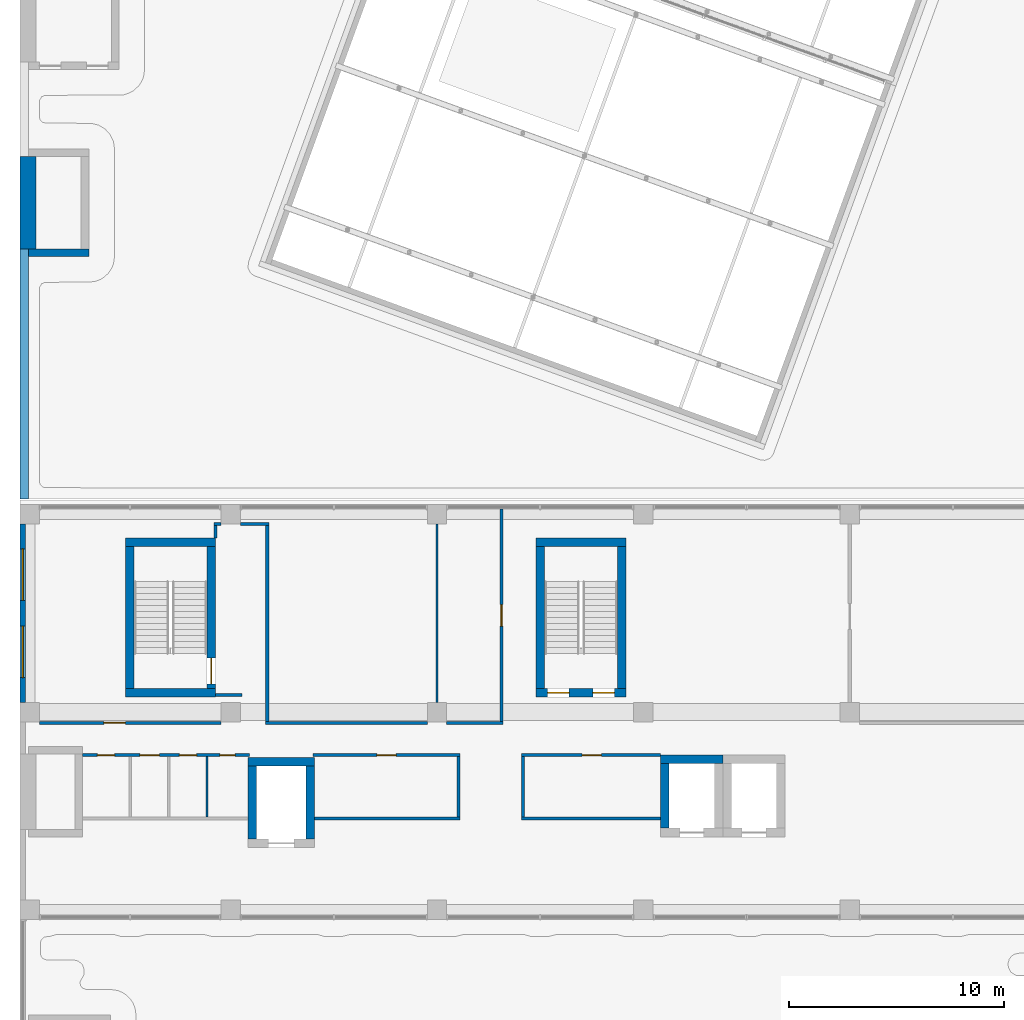
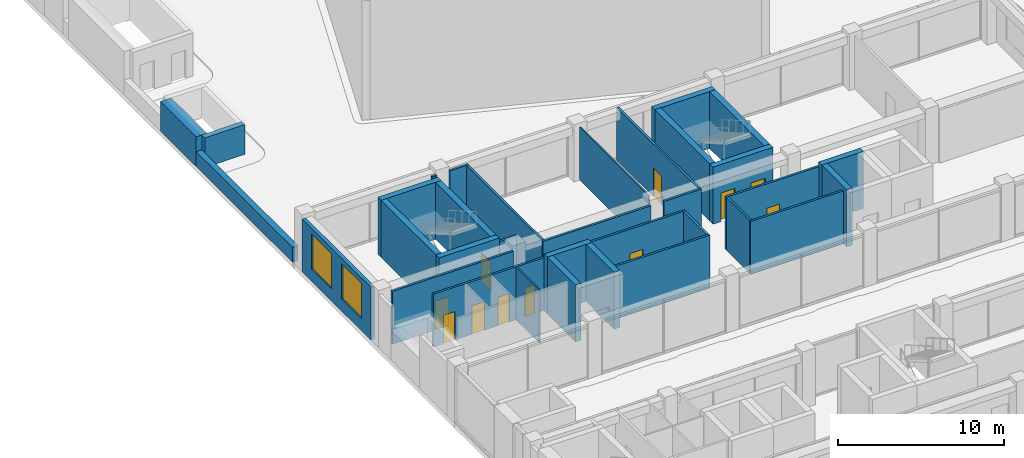
# One storey, part 61 of 72: 35 walls, 11 doors, 2 windows, 13 openings.
"""IFC4 building model written with IfcOpenShell, lengths in metres."""

from ifc_helpers import new_model, si_unit, direction, frame, frame_2d, origin, place, context, subcontext, project, spatial, rectangle, extrude, material, layer, layer_set, layer_usage, type_object, element, fill, save


model = new_model("IFC4")

# Units and contexts
model_context = context("Model", 3, precision=1e-05, world=origin(), true_north=direction((0.0, 1.0)))
body_context = subcontext(model_context, "Body", "Model", "MODEL_VIEW")
ifc_project = project(units=[si_unit("LENGTHUNIT", "METRE"), si_unit("AREAUNIT", "SQUARE_METRE"), si_unit("VOLUMEUNIT", "CUBIC_METRE"), si_unit("PLANEANGLEUNIT", "RADIAN"), si_unit("MASSUNIT", "GRAM", prefix="KILO")], contexts=[model_context])

# Site, building, storey
site_placement = place(None, origin())
site = spatial("IfcSite", under=ifc_project, at=site_placement, CompositionType="ELEMENT")
building_placement = place(site_placement, origin())
building = spatial("IfcBuilding", under=site, at=building_placement, Name="Nzadi Deep Aquarium and Research Tower", CompositionType="ELEMENT")
storey_placement = place(building_placement, frame((0.0, 0.0, 31.89990234375)))
storey = spatial("IfcBuildingStorey", under=building, at=storey_placement, Name="L05", CompositionType="ELEMENT", Elevation=31.89990234375)

# Wall, openings, windows
ifc_material_1 = material(Name="Graphite aluminium shingle", Category="aluminium")
ifc_layer_1 = layer(ifc_material_1, 0.050048828125, Category="cladding")
ifc_material_2 = material(Name="Concrete C35/45", Category="concrete")
ifc_layer_2 = layer(ifc_material_2, 0.10009765625, Category="cladding")
ifc_material_3 = material(Name="Mineral wool insulation")
ifc_layer_3 = layer(ifc_material_3, 0.070068359375, Category="insulation")
ifc_material_4 = material(Name="Gypsum board lining")
ifc_layer_4 = layer(ifc_material_4, 0.030029296875, Category="lining")
ifc_layer_set_1 = layer_set([ifc_layer_1, ifc_layer_2, ifc_layer_3, ifc_layer_4], Name="Graphite aluminium shingle, Concrete C35/45, Mineral wool insulation, Gypsum board lining")
ifc_layer_usage_1 = layer_usage(ifc_layer_set_1, "AXIS2", "POSITIVE", -0.125)
wall_type_1 = type_object("IfcWallType", Name="End wall shingle over board-formed concrete 250", PredefinedType="ELEMENTEDWALL", material=ifc_layer_set_1)
wall_1_placement = place(storey_placement, frame((-0.074462890625, 45.550048828125, 0.0), z_axis=(0.0, 0.0, 1.0), x_axis=(0.0, -1.0, 0.0)))
wall_1 = element("IfcWall", 1, at=wall_1_placement, inside=storey, type_object=wall_type_1, material=ifc_layer_usage_1, Name="End wall blade B west L05", PredefinedType="ELEMENTEDWALL", context=body_context, shape_type="SweptSolid", body=[
    extrude(rectangle(XDim=8.300048828125, YDim=0.25, at=frame_2d((4.14990234375, 0.0))), origin(), (0.0, 0.0, 1.0), 3.900146484375),
])
opening_1_placement = place(wall_1_placement, frame((4.75, 0.0, 0.89990234375)))
opening_1 = element("IfcOpeningElement", 2, at=opening_1_placement, cuts=wall_1, Name="Opening WN07", PredefinedType="OPENING", context=body_context, shape_type="SweptSolid", body=[
    extrude(rectangle(XDim=2.39990234375, YDim=2.60009765625, at=frame_2d((1.199951171875, 1.300048828125))), frame((0.0, 0.135009765625, 0.0), z_axis=(0.0, -1.0, 0.0), x_axis=(1.0, 0.0, 0.0)), (0.0, 0.0, 1.0), 0.27001953125),
])
opening_2_placement = place(wall_1_placement, frame((1.14990234375, 0.0, 0.89990234375)))
opening_2 = element("IfcOpeningElement", 3, at=opening_2_placement, cuts=wall_1, Name="Opening WN07", PredefinedType="OPENING", context=body_context, shape_type="SweptSolid", body=[
    extrude(rectangle(XDim=2.39990234375, YDim=2.60009765625, at=frame_2d((1.199951171875, 1.300048828125))), frame((0.0, 0.135009765625, 0.0), z_axis=(0.0, -1.0, 0.0), x_axis=(1.0, 0.0, 0.0)), (0.0, 0.0, 1.0), 0.27001953125),
])
ifc_material_5 = material(Name="Aluminium window, sage tint glazing", Category="aluminium")
window_type = type_object("IfcWindowType", Name="Slot window 2400x2600 sill 900", PartitioningType="SINGLE_PANEL", PredefinedType="WINDOW", material=ifc_material_5)
window_1_placement = place(opening_1_placement, origin())
window_1 = element("IfcWindow", 4, at=window_1_placement, inside=storey, type_object=window_type, Name="Slot window L05 BW", OverallHeight=2.60009765625, OverallWidth=2.39990234375, PartitioningType="SINGLE_PANEL", PredefinedType="WINDOW", context=body_context, shape_type="SweptSolid", body=[
    extrude(rectangle(XDim=2.39990234375, YDim=2.60009765625, at=frame_2d((1.199951171875, 1.300048828125))), frame((0.0, 0.030029296875, 0.0), z_axis=(0.0, -1.0, 0.0), x_axis=(1.0, 0.0, 0.0)), (0.0, 0.0, 1.0), 0.06005859375),
])
fill(opening_1, window_1)
window_2_placement = place(opening_2_placement, origin())
window_2 = element("IfcWindow", 5, at=window_2_placement, inside=storey, type_object=window_type, Name="Slot window L05 BW", OverallHeight=2.60009765625, OverallWidth=2.39990234375, PartitioningType="SINGLE_PANEL", PredefinedType="WINDOW", context=body_context, shape_type="SweptSolid", body=[
    extrude(rectangle(XDim=2.39990234375, YDim=2.60009765625, at=frame_2d((1.199951171875, 1.300048828125))), frame((0.0, 0.030029296875, 0.0), z_axis=(0.0, -1.0, 0.0), x_axis=(1.0, 0.0, 0.0)), (0.0, 0.0, 1.0), 0.06005859375),
])
fill(opening_2, window_2)

# Walls
ifc_layer_5 = layer(ifc_material_2, 0.39990234375, Category="structure")
ifc_layer_set_2 = layer_set([ifc_layer_5], Name="Concrete C35/45")
ifc_layer_usage_2 = layer_usage(ifc_layer_set_2, "AXIS2", "POSITIVE", -0.199951171875)
wall_type_2 = type_object("IfcWallType", Name="Parapet board-formed concrete 400 podium roof", PredefinedType="PARAPET", material=ifc_layer_set_2)
wall_2_placement = place(storey_placement, frame((0.00048828125, 58.35009765625, 0.0), z_axis=(0.0, 0.0, 1.0), x_axis=(0.0, -1.0, 0.0)))
element("IfcWall", 6, at=wall_2_placement, inside=storey, type_object=wall_type_2, material=ifc_layer_usage_2, Name="Parapet", PredefinedType="PARAPET", context=body_context, shape_type="SweptSolid", body=[
    extrude(rectangle(XDim=11.630126953125, YDim=0.39990234375, at=frame_2d((5.81494140625, 0.0))), origin(), (0.0, 0.0, 1.0), 1.10009765625),
])
ifc_material_6 = material(Name="Blockwork masonry", Category="masonry")
ifc_layer_6 = layer(ifc_material_6, 0.10009765625)
ifc_layer_set_3 = layer_set([ifc_layer_6], Name="Blockwork masonry")
wall_type_3 = type_object("IfcWallType", Name="Partition 100 EI 30", PredefinedType="PARTITIONING", material=ifc_layer_set_3)
wall_3_placement = place(storey_placement, frame((8.5029296875, 31.925048828125, 0.0), z_axis=(0.0, 0.0, 1.0), x_axis=(0.0, 1.0, 0.0)))
element("IfcWall", 7, at=wall_3_placement, inside=storey, type_object=wall_type_3, Name="W-Z1-L05-P013", PredefinedType="PARTITIONING", context=body_context, shape_type="SweptSolid", body=[
    extrude(rectangle(XDim=2.800048828125, YDim=0.10009765625, at=frame_2d((1.39990234375, 0.0))), origin(), (0.0, 0.0, 1.0), 3.900146484375),
])
wall_4_placement = place(storey_placement, frame((19.199951171875, 37.25, 0.0), z_axis=(0.0, 0.0, 1.0), x_axis=(0.0, 1.0, 0.0)))
element("IfcWall", 8, at=wall_4_placement, inside=storey, type_object=wall_type_3, Name="W-Z1-L05-P025", PredefinedType="PARTITIONING", context=body_context, shape_type="SweptSolid", body=[
    extrude(rectangle(XDim=8.300048828125, YDim=0.10009765625, at=frame_2d((4.14990234375, 0.0))), origin(), (0.0, 0.0, 1.0), 3.900146484375),
])

# Wall, opening, door
ifc_material_7 = material(Name="Blockwork masonry", Category="masonry")
ifc_layer_7 = layer(ifc_material_7, 0.14990234375)
ifc_layer_set_4 = layer_set([ifc_layer_7], Name="Blockwork masonry")
wall_type_4 = type_object("IfcWallType", Name="Partition 150 EI 60", PredefinedType="PARTITIONING", material=ifc_layer_set_4)
wall_5_placement = place(storey_placement, frame((0.699951171875, 36.300048828125, 0.0), z_axis=(0.0, 0.0, 1.0), x_axis=(1.0, 0.0, 0.0)))
wall_5 = element("IfcWall", 9, at=wall_5_placement, inside=storey, type_object=wall_type_4, Name="W-Z1-L05-P001", PredefinedType="PARTITIONING", context=body_context, shape_type="SweptSolid", body=[
    extrude(rectangle(XDim=8.449951171875, YDim=0.14990234375, at=frame_2d((4.22509765625, 0.0))), origin(), (0.0, 0.0, 1.0), 3.900146484375),
])
opening_3_placement = place(wall_5_placement, frame((3.0, 0.0, 0.0)))
opening_3 = element("IfcOpeningElement", 10, at=opening_3_placement, cuts=wall_5, Name="Opening D061017", PredefinedType="OPENING", context=body_context, shape_type="SweptSolid", body=[
    extrude(rectangle(XDim=1.0, YDim=2.10009765625, at=frame_2d((0.5, 1.050048828125))), frame((0.0, 0.0849609375, 0.0), z_axis=(0.0, -1.0, 0.0), x_axis=(1.0, 0.0, 0.0)), (0.0, 0.0, 1.0), 0.169921875),
])
ifc_material_8 = material(Name="Fire-rated steel door", Category="steel")
ifc_layer_8 = layer(ifc_material_8, 0.050048828125)
ifc_layer_set_5 = layer_set([ifc_layer_8], Name="Fire-rated steel door")
door_type_1 = type_object("IfcDoorType", Name="Door 1000x2100 EI 60 single", OperationType="SINGLE_SWING_LEFT", PredefinedType="DOOR", material=ifc_layer_set_5)
door_1_placement = place(opening_3_placement, origin())
door_1 = element("IfcDoor", 11, at=door_1_placement, inside=storey, type_object=door_type_1, Name="D061017", OperationType="SINGLE_SWING_RIGHT", OverallHeight=2.10009765625, OverallWidth=1.0, PredefinedType="DOOR", context=body_context, shape_type="SweptSolid", body=[
    extrude(rectangle(XDim=1.0, YDim=2.10009765625, at=frame_2d((0.5, 1.050048828125))), frame((0.0, 0.02490234375, 0.0), z_axis=(0.0, -1.0, 0.0), x_axis=(1.0, 0.0, 0.0)), (0.0, 0.0, 1.0), 0.050048828125),
])
fill(opening_3, door_1)

# Wall, openings, doors
wall_6_placement = place(storey_placement, frame((2.7060546875, 34.800048828125, 0.0), z_axis=(0.0, 0.0, 1.0), x_axis=(1.0, 0.0, 0.0)))
wall_6 = element("IfcWall", 12, at=wall_6_placement, inside=storey, type_object=wall_type_4, Name="W-Z1-L05-P003", PredefinedType="PARTITIONING", context=body_context, shape_type="SweptSolid", body=[
    extrude(rectangle(XDim=7.76904296875, YDim=0.14990234375, at=frame_2d((3.884521484375, 0.0))), origin(), (0.0, 0.0, 1.0), 3.900146484375),
])
opening_4_placement = place(wall_6_placement, frame((0.694091796875, 0.0, 0.0)))
opening_4 = element("IfcOpeningElement", 13, at=opening_4_placement, cuts=wall_6, Name="Opening D061011", PredefinedType="OPENING", context=body_context, shape_type="SweptSolid", body=[
    extrude(rectangle(XDim=0.800048828125, YDim=2.10009765625, at=frame_2d((0.39990234375, 1.050048828125))), frame((0.0, 0.0849609375, 0.0), z_axis=(0.0, -1.0, 0.0), x_axis=(1.0, 0.0, 0.0)), (0.0, 0.0, 1.0), 0.169921875),
])
opening_5_placement = place(wall_6_placement, frame((2.676025390625, 0.0, 0.0)))
opening_5 = element("IfcOpeningElement", 14, at=opening_5_placement, cuts=wall_6, Name="Opening D061012", PredefinedType="OPENING", context=body_context, shape_type="SweptSolid", body=[
    extrude(rectangle(XDim=0.89990234375, YDim=2.10009765625, at=frame_2d((0.449951171875, 1.050048828125))), frame((0.0, 0.0849609375, 0.0), z_axis=(0.0, -1.0, 0.0), x_axis=(1.0, 0.0, 0.0)), (0.0, 0.0, 1.0), 0.169921875),
])
opening_6_placement = place(wall_6_placement, frame((4.510986328125, 0.0, 0.0)))
opening_6 = element("IfcOpeningElement", 15, at=opening_6_placement, cuts=wall_6, Name="Opening D061013", PredefinedType="OPENING", context=body_context, shape_type="SweptSolid", body=[
    extrude(rectangle(XDim=0.800048828125, YDim=2.10009765625, at=frame_2d((0.39990234375, 1.050048828125))), frame((0.0, 0.0849609375, 0.0), z_axis=(0.0, -1.0, 0.0), x_axis=(1.0, 0.0, 0.0)), (0.0, 0.0, 1.0), 0.169921875),
])
opening_7_placement = place(wall_6_placement, frame((6.39697265625, 0.0, 0.0)))
opening_7 = element("IfcOpeningElement", 16, at=opening_7_placement, cuts=wall_6, Name="Opening D061014", PredefinedType="OPENING", context=body_context, shape_type="SweptSolid", body=[
    extrude(rectangle(XDim=0.699951171875, YDim=2.10009765625, at=frame_2d((0.35009765625, 1.050048828125))), frame((0.0, 0.0849609375, 0.0), z_axis=(0.0, -1.0, 0.0), x_axis=(1.0, 0.0, 0.0)), (0.0, 0.0, 1.0), 0.169921875),
])
ifc_material_9 = material(Name="Fire-rated steel door", Category="steel")
ifc_layer_9 = layer(ifc_material_9, 0.050048828125)
ifc_layer_set_6 = layer_set([ifc_layer_9], Name="Fire-rated steel door")
door_type_2 = type_object("IfcDoorType", Name="Door 700x2100 EI 60 single", OperationType="SINGLE_SWING_LEFT", PredefinedType="DOOR", material=ifc_layer_set_6)
door_2_placement = place(opening_7_placement, origin())
door_2 = element("IfcDoor", 17, at=door_2_placement, inside=storey, type_object=door_type_2, Name="D061014", OperationType="SINGLE_SWING_LEFT", OverallHeight=2.10009765625, OverallWidth=0.699951171875, PredefinedType="DOOR", context=body_context, shape_type="SweptSolid", body=[
    extrude(rectangle(XDim=0.699951171875, YDim=2.10009765625, at=frame_2d((0.35009765625, 1.050048828125))), frame((0.0, 0.02490234375, 0.0), z_axis=(0.0, -1.0, 0.0), x_axis=(1.0, 0.0, 0.0)), (0.0, 0.0, 1.0), 0.050048828125),
])
fill(opening_7, door_2)
ifc_material_10 = material(Name="Fire-rated steel door", Category="steel")
ifc_layer_10 = layer(ifc_material_10, 0.050048828125)
ifc_layer_set_7 = layer_set([ifc_layer_10], Name="Fire-rated steel door")
door_type_3 = type_object("IfcDoorType", Name="Door 800x2100 EI 60 single", OperationType="SINGLE_SWING_LEFT", PredefinedType="DOOR", material=ifc_layer_set_7)
door_3_placement = place(opening_4_placement, origin())
door_3 = element("IfcDoor", 18, at=door_3_placement, inside=storey, type_object=door_type_3, Name="D061011", OperationType="SINGLE_SWING_RIGHT", OverallHeight=2.10009765625, OverallWidth=0.800048828125, PredefinedType="DOOR", context=body_context, shape_type="SweptSolid", body=[
    extrude(rectangle(XDim=0.800048828125, YDim=2.10009765625, at=frame_2d((0.39990234375, 1.050048828125))), frame((0.0, 0.02490234375, 0.0), z_axis=(0.0, -1.0, 0.0), x_axis=(1.0, 0.0, 0.0)), (0.0, 0.0, 1.0), 0.050048828125),
])
fill(opening_4, door_3)
door_4_placement = place(opening_6_placement, origin())
door_4 = element("IfcDoor", 19, at=door_4_placement, inside=storey, type_object=door_type_3, Name="D061013", OperationType="SINGLE_SWING_RIGHT", OverallHeight=2.10009765625, OverallWidth=0.800048828125, PredefinedType="DOOR", context=body_context, shape_type="SweptSolid", body=[
    extrude(rectangle(XDim=0.800048828125, YDim=2.10009765625, at=frame_2d((0.39990234375, 1.050048828125))), frame((0.0, 0.02490234375, 0.0), z_axis=(0.0, -1.0, 0.0), x_axis=(1.0, 0.0, 0.0)), (0.0, 0.0, 1.0), 0.050048828125),
])
fill(opening_6, door_4)
ifc_material_11 = material(Name="Fire-rated steel door", Category="steel")
ifc_layer_11 = layer(ifc_material_11, 0.050048828125)
ifc_layer_set_8 = layer_set([ifc_layer_11], Name="Fire-rated steel door")
door_type_4 = type_object("IfcDoorType", Name="Door 900x2100 EI 60 single", OperationType="SINGLE_SWING_LEFT", PredefinedType="DOOR", material=ifc_layer_set_8)
door_5_placement = place(opening_5_placement, origin())
door_5 = element("IfcDoor", 20, at=door_5_placement, inside=storey, type_object=door_type_4, Name="D061012", OperationType="SINGLE_SWING_RIGHT", OverallHeight=2.10009765625, OverallWidth=0.89990234375, PredefinedType="DOOR", context=body_context, shape_type="SweptSolid", body=[
    extrude(rectangle(XDim=0.89990234375, YDim=2.10009765625, at=frame_2d((0.449951171875, 1.050048828125))), frame((0.0, 0.02490234375, 0.0), z_axis=(0.0, -1.0, 0.0), x_axis=(1.0, 0.0, 0.0)), (0.0, 0.0, 1.0), 0.050048828125),
])
fill(opening_5, door_5)

# Walls
wall_7_placement = place(storey_placement, frame((8.89990234375, 44.906005859375, 0.0), z_axis=(0.0, 0.0, 1.0), x_axis=(0.0, 1.0, 0.0)))
element("IfcWall", 21, at=wall_7_placement, inside=storey, type_object=wall_type_4, Name="W-Z1-L05-P014", PredefinedType="PARTITIONING", context=body_context, shape_type="SweptSolid", body=[
    extrude(rectangle(XDim=0.569091796875, YDim=0.14990234375, at=frame_2d((0.28466796875, 0.0))), origin(), (0.0, 0.0, 1.0), 3.900146484375),
])
wall_8_placement = place(storey_placement, frame((8.824951171875, 45.550048828125, 0.0), z_axis=(0.0, 0.0, 1.0), x_axis=(1.0, 0.0, 0.0)))
element("IfcWall", 22, at=wall_8_placement, inside=storey, type_object=wall_type_4, Name="W-Z1-L05-P015", PredefinedType="PARTITIONING", context=body_context, shape_type="SweptSolid", body=[
    extrude(rectangle(XDim=0.324951171875, YDim=0.14990234375, at=frame_2d((0.16259765625, 0.0))), origin(), (0.0, 0.0, 1.0), 3.900146484375),
])
wall_9_placement = place(storey_placement, frame((8.906005859375, 37.60009765625, 0.0), z_axis=(0.0, 0.0, 1.0), x_axis=(1.0, 0.0, 0.0)))
element("IfcWall", 23, at=wall_9_placement, inside=storey, type_object=wall_type_4, Name="W-Z1-L05-P016", PredefinedType="PARTITIONING", context=body_context, shape_type="SweptSolid", body=[
    extrude(rectangle(XDim=1.218994140625, YDim=0.14990234375, at=frame_2d((0.609375, 0.0))), origin(), (0.0, 0.0, 1.0), 3.900146484375),
])
wall_10_placement = place(storey_placement, frame((10.050048828125, 45.550048828125, 0.0), z_axis=(0.0, 0.0, 1.0), x_axis=(1.0, 0.0, 0.0)))
element("IfcWall", 24, at=wall_10_placement, inside=storey, type_object=wall_type_4, Name="W-Z1-L05-P018", PredefinedType="PARTITIONING", context=body_context, shape_type="SweptSolid", body=[
    extrude(rectangle(XDim=1.324951171875, YDim=0.14990234375, at=frame_2d((0.66259765625, 0.0))), origin(), (0.0, 0.0, 1.0), 3.900146484375),
])
wall_11_placement = place(storey_placement, frame((11.22509765625, 36.300048828125, 0.0), z_axis=(0.0, 0.0, 1.0), x_axis=(1.0, 0.0, 0.0)))
element("IfcWall", 25, at=wall_11_placement, inside=storey, type_object=wall_type_4, Name="W-Z1-L05-P020", PredefinedType="PARTITIONING", context=body_context, shape_type="SweptSolid", body=[
    extrude(rectangle(XDim=7.52490234375, YDim=0.14990234375, at=frame_2d((3.762451171875, 0.0))), origin(), (0.0, 0.0, 1.0), 3.900146484375),
])
wall_12_placement = place(storey_placement, frame((11.300048828125, 36.375, 0.0), z_axis=(0.0, 0.0, 1.0), x_axis=(0.0, 1.0, 0.0)))
element("IfcWall", 26, at=wall_12_placement, inside=storey, type_object=wall_type_4, Name="W-Z1-L05-P021", PredefinedType="PARTITIONING", context=body_context, shape_type="SweptSolid", body=[
    extrude(rectangle(XDim=9.10009765625, YDim=0.14990234375, at=frame_2d((4.550048828125, 0.0))), origin(), (0.0, 0.0, 1.0), 3.900146484375),
])

# Wall, opening, door
wall_13_placement = place(storey_placement, frame((13.425048828125, 34.800048828125, 0.0), z_axis=(0.0, 0.0, 1.0), x_axis=(1.0, 0.0, 0.0)))
wall_13 = element("IfcWall", 27, at=wall_13_placement, inside=storey, type_object=wall_type_4, Name="W-Z1-L05-P022", PredefinedType="PARTITIONING", context=body_context, shape_type="SweptSolid", body=[
    extrude(rectangle(XDim=6.849853515625, YDim=0.14990234375, at=frame_2d((3.4248046875, 0.0))), origin(), (0.0, 0.0, 1.0), 3.900146484375),
])
opening_8_placement = place(wall_13_placement, frame((2.97509765625, 0.0, 0.0)))
opening_8 = element("IfcOpeningElement", 28, at=opening_8_placement, cuts=wall_13, Name="Opening D061015", PredefinedType="OPENING", context=body_context, shape_type="SweptSolid", body=[
    extrude(rectangle(XDim=0.89990234375, YDim=2.10009765625, at=frame_2d((0.449951171875, 1.050048828125))), frame((0.0, 0.0849609375, 0.0), z_axis=(0.0, -1.0, 0.0), x_axis=(1.0, 0.0, 0.0)), (0.0, 0.0, 1.0), 0.169921875),
])
door_6_placement = place(opening_8_placement, origin())
door_6 = element("IfcDoor", 29, at=door_6_placement, inside=storey, type_object=door_type_4, Name="D061015", OperationType="SINGLE_SWING_RIGHT", OverallHeight=2.10009765625, OverallWidth=0.89990234375, PredefinedType="DOOR", context=body_context, shape_type="SweptSolid", body=[
    extrude(rectangle(XDim=0.89990234375, YDim=2.10009765625, at=frame_2d((0.449951171875, 1.050048828125))), frame((0.0, 0.02490234375, 0.0), z_axis=(0.0, -1.0, 0.0), x_axis=(1.0, 0.0, 0.0)), (0.0, 0.0, 1.0), 0.050048828125),
])
fill(opening_8, door_6)

# Walls
wall_14_placement = place(storey_placement, frame((13.506103515625, 31.85009765625, 0.0), z_axis=(0.0, 0.0, 1.0), x_axis=(1.0, 0.0, 0.0)))
element("IfcWall", 30, at=wall_14_placement, inside=storey, type_object=wall_type_4, Name="W-Z1-L05-P023", PredefinedType="PARTITIONING", context=body_context, shape_type="SweptSolid", body=[
    extrude(rectangle(XDim=6.768798828125, YDim=0.14990234375, at=frame_2d((3.38427734375, 0.0))), origin(), (0.0, 0.0, 1.0), 3.900146484375),
])
wall_15_placement = place(storey_placement, frame((19.64990234375, 36.300048828125, 0.0), z_axis=(0.0, 0.0, 1.0), x_axis=(1.0, 0.0, 0.0)))
element("IfcWall", 31, at=wall_15_placement, inside=storey, type_object=wall_type_4, Name="W-Z1-L05-P026", PredefinedType="PARTITIONING", context=body_context, shape_type="SweptSolid", body=[
    extrude(rectangle(XDim=2.625, YDim=0.14990234375, at=frame_2d((1.3125, 0.0))), origin(), (0.0, 0.0, 1.0), 3.900146484375),
])
wall_16_placement = place(storey_placement, frame((20.199951171875, 31.925048828125, 0.0), z_axis=(0.0, 0.0, 1.0), x_axis=(0.0, 1.0, 0.0)))
element("IfcWall", 32, at=wall_16_placement, inside=storey, type_object=wall_type_4, Name="W-Z1-L05-P027", PredefinedType="PARTITIONING", context=body_context, shape_type="SweptSolid", body=[
    extrude(rectangle(XDim=2.800048828125, YDim=0.14990234375, at=frame_2d((1.39990234375, 0.0))), origin(), (0.0, 0.0, 1.0), 3.900146484375),
])

# Wall, opening, door
wall_17_placement = place(storey_placement, frame((22.199951171875, 36.375, 0.0), z_axis=(0.0, 0.0, 1.0), x_axis=(0.0, 1.0, 0.0)))
wall_17 = element("IfcWall", 33, at=wall_17_placement, inside=storey, type_object=wall_type_4, Name="W-Z1-L05-P028", PredefinedType="PARTITIONING", context=body_context, shape_type="SweptSolid", body=[
    extrude(rectangle(XDim=9.868896484375, YDim=0.14990234375, at=frame_2d((4.9345703125, 0.0))), origin(), (0.0, 0.0, 1.0), 3.900146484375),
])
opening_9_placement = place(wall_17_placement, frame((4.425048828125, 0.0, 0.0)))
opening_9 = element("IfcOpeningElement", 34, at=opening_9_placement, cuts=wall_17, Name="Opening D061018", PredefinedType="OPENING", context=body_context, shape_type="SweptSolid", body=[
    extrude(rectangle(XDim=1.0, YDim=2.10009765625, at=frame_2d((0.5, 1.050048828125))), frame((0.0, 0.0849609375, 0.0), z_axis=(0.0, -1.0, 0.0), x_axis=(1.0, 0.0, 0.0)), (0.0, 0.0, 1.0), 0.169921875),
])
door_7_placement = place(opening_9_placement, origin())
door_7 = element("IfcDoor", 35, at=door_7_placement, inside=storey, type_object=door_type_1, Name="D061018", OperationType="SINGLE_SWING_RIGHT", OverallHeight=2.10009765625, OverallWidth=1.0, PredefinedType="DOOR", context=body_context, shape_type="SweptSolid", body=[
    extrude(rectangle(XDim=1.0, YDim=2.10009765625, at=frame_2d((0.5, 1.050048828125))), frame((0.0, 0.02490234375, 0.0), z_axis=(0.0, -1.0, 0.0), x_axis=(1.0, 0.0, 0.0)), (0.0, 0.0, 1.0), 0.050048828125),
])
fill(opening_9, door_7)

# Walls
wall_18_placement = place(storey_placement, frame((23.125, 31.85009765625, 0.0), z_axis=(0.0, 0.0, 1.0), x_axis=(1.0, 0.0, 0.0)))
element("IfcWall", 36, at=wall_18_placement, inside=storey, type_object=wall_type_4, Name="W-Z1-L05-P029", PredefinedType="PARTITIONING", context=body_context, shape_type="SweptSolid", body=[
    extrude(rectangle(XDim=6.468994140625, YDim=0.14990234375, at=frame_2d((3.234375, 0.0))), origin(), (0.0, 0.0, 1.0), 3.900146484375),
])
wall_19_placement = place(storey_placement, frame((23.199951171875, 31.925048828125, 0.0), z_axis=(0.0, 0.0, 1.0), x_axis=(0.0, 1.0, 0.0)))
element("IfcWall", 37, at=wall_19_placement, inside=storey, type_object=wall_type_4, Name="W-Z1-L05-P030", PredefinedType="PARTITIONING", context=body_context, shape_type="SweptSolid", body=[
    extrude(rectangle(XDim=2.800048828125, YDim=0.14990234375, at=frame_2d((1.39990234375, 0.0))), origin(), (0.0, 0.0, 1.0), 3.900146484375),
])

# Wall, opening, door
wall_20_placement = place(storey_placement, frame((23.125, 34.800048828125, 0.0), z_axis=(0.0, 0.0, 1.0), x_axis=(1.0, 0.0, 0.0)))
wall_20 = element("IfcWall", 38, at=wall_20_placement, inside=storey, type_object=wall_type_4, Name="W-Z1-L05-P031", PredefinedType="PARTITIONING", context=body_context, shape_type="SweptSolid", body=[
    extrude(rectangle(XDim=6.468994140625, YDim=0.14990234375, at=frame_2d((3.234375, 0.0))), origin(), (0.0, 0.0, 1.0), 3.900146484375),
])
opening_10_placement = place(wall_20_placement, frame((2.824951171875, 0.0, 0.0)))
opening_10 = element("IfcOpeningElement", 39, at=opening_10_placement, cuts=wall_20, Name="Opening D061016", PredefinedType="OPENING", context=body_context, shape_type="SweptSolid", body=[
    extrude(rectangle(XDim=0.89990234375, YDim=2.10009765625, at=frame_2d((0.449951171875, 1.050048828125))), frame((0.0, 0.0849609375, 0.0), z_axis=(0.0, -1.0, 0.0), x_axis=(1.0, 0.0, 0.0)), (0.0, 0.0, 1.0), 0.169921875),
])
door_8_placement = place(opening_10_placement, origin())
door_8 = element("IfcDoor", 40, at=door_8_placement, inside=storey, type_object=door_type_4, Name="D061016", OperationType="SINGLE_SWING_LEFT", OverallHeight=2.10009765625, OverallWidth=0.89990234375, PredefinedType="DOOR", context=body_context, shape_type="SweptSolid", body=[
    extrude(rectangle(XDim=0.89990234375, YDim=2.10009765625, at=frame_2d((0.449951171875, 1.050048828125))), frame((0.0, 0.02490234375, 0.0), z_axis=(0.0, -1.0, 0.0), x_axis=(1.0, 0.0, 0.0)), (0.0, 0.0, 1.0), 0.050048828125),
])
fill(opening_10, door_8)

# Walls
ifc_material_12 = material(Name="Concrete C35/45", Category="concrete")
ifc_layer_12 = layer(ifc_material_12, 0.35009765625)
ifc_layer_set_9 = layer_set([ifc_layer_12], Name="Concrete C35/45")
wall_type_5 = type_object("IfcWallType", Name="RC core wall 350, 2.20 m high", PredefinedType="SHEAR", material=ifc_layer_set_9)
wall_21_placement = place(storey_placement, frame((0.199951171875, 58.175048828125, 0.0), z_axis=(0.0, 0.0, 1.0), x_axis=(1.0, 0.0, 0.0)))
element("IfcWall", 41, at=wall_21_placement, inside=storey, type_object=wall_type_5, Name="W-CORE-RS-Z2-W-L05-S", PredefinedType="SHEAR", context=body_context, shape_type="SweptSolid", body=[
    extrude(rectangle(XDim=2.800048828125, YDim=0.35009765625, at=frame_2d((1.39990234375, 0.0))), origin(), (0.0, 0.0, 1.0), 2.2001953125),
])
ifc_material_13 = material(Name="Concrete C35/45", Category="concrete")
ifc_layer_13 = layer(ifc_material_13, 0.39990234375)
ifc_layer_set_10 = layer_set([ifc_layer_13], Name="Concrete C35/45")
wall_type_6 = type_object("IfcWallType", Name="RC core wall 400", PredefinedType="SHEAR", material=ifc_layer_set_10)
for number, where, z_axis, x_axis, name in (
    (42, (4.699951171875, 37.699951171875, 0.0), (0.0, 0.0, 1.0), (1.0, 0.0, 0.0), "W-CORE-ST-Z1-NW-L05-S"),
    (43, (4.699951171875, 44.699951171875, 0.0), (0.0, 0.0, 1.0), (1.0, 0.0, 0.0), "W-CORE-ST-Z1-NW-L05-N"),
):
    element("IfcWall", number, at=place(storey_placement, frame(where, z_axis=z_axis, x_axis=x_axis)), inside=storey, type_object=wall_type_6, Name=name, PredefinedType="SHEAR", context=body_context, shape_type="SweptSolid", body=[
        extrude(rectangle(XDim=4.199951171875, YDim=0.39990234375, at=frame_2d((2.10009765625, 0.0))), origin(), (0.0, 0.0, 1.0), 4.2001953125),
    ])
wall_22_placement = place(storey_placement, frame((4.89990234375, 37.89990234375, 0.0), z_axis=(0.0, 0.0, 1.0), x_axis=(0.0, 1.0, 0.0)))
element("IfcWall", 44, at=wall_22_placement, inside=storey, type_object=wall_type_6, Name="W-CORE-ST-Z1-NW-L05-W", PredefinedType="SHEAR", context=body_context, shape_type="SweptSolid", body=[
    extrude(rectangle(XDim=6.60009765625, YDim=0.39990234375, at=frame_2d((3.300048828125, 0.0))), origin(), (0.0, 0.0, 1.0), 4.2001953125),
])

# Wall, opening, door
wall_23_placement = place(storey_placement, frame((8.699951171875, 37.89990234375, 0.0), z_axis=(0.0, 0.0, 1.0), x_axis=(0.0, 1.0, 0.0)))
wall_23 = element("IfcWall", 45, at=wall_23_placement, inside=storey, type_object=wall_type_6, Name="W-CORE-ST-Z1-NW-L05-E", PredefinedType="SHEAR", context=body_context, shape_type="SweptSolid", body=[
    extrude(rectangle(XDim=6.60009765625, YDim=0.39990234375, at=frame_2d((3.300048828125, 0.0))), origin(), (0.0, 0.0, 1.0), 4.2001953125),
])
opening_11_placement = place(wall_23_placement, frame((0.2099609375, 0.0, 0.0)))
opening_11 = element("IfcOpeningElement", 46, at=opening_11_placement, cuts=wall_23, Name="Opening DS-Z1-NW-L05", PredefinedType="OPENING", context=body_context, shape_type="SweptSolid", body=[
    extrude(rectangle(XDim=1.199951171875, YDim=2.10009765625, at=frame_2d((0.60009765625, 1.050048828125))), frame((0.0, 0.2099609375, 0.0), z_axis=(0.0, -1.0, 0.0), x_axis=(1.0, 0.0, 0.0)), (0.0, 0.0, 1.0), 0.419921875),
])
ifc_material_14 = material(Name="Steel, powder coated", Category="steel")
door_type_5 = type_object("IfcDoorType", Name="STAIR DOOR 1200x2100 EI 60", OperationType="SINGLE_SWING_LEFT", PredefinedType="DOOR", material=ifc_material_14)
door_9_placement = place(opening_11_placement, origin())
door_9 = element("IfcDoor", 47, at=door_9_placement, inside=storey, type_object=door_type_5, Name="Stair door ST-Z1-NW L05", OperationType="SINGLE_SWING_RIGHT", OverallHeight=2.10009765625, OverallWidth=1.199951171875, PredefinedType="DOOR", context=body_context, shape_type="SweptSolid", body=[
    extrude(rectangle(XDim=1.199951171875, YDim=2.10009765625, at=frame_2d((0.60009765625, 1.050048828125))), frame((0.0, 0.02490234375, 0.0), z_axis=(0.0, -1.0, 0.0), x_axis=(1.0, 0.0, 0.0)), (0.0, 0.0, 1.0), 0.050048828125),
])
fill(opening_11, door_9)

# Wall, openings, doors
wall_24_placement = place(storey_placement, frame((23.800048828125, 37.699951171875, 0.0), z_axis=(0.0, 0.0, 1.0), x_axis=(1.0, 0.0, 0.0)))
wall_24 = element("IfcWall", 48, at=wall_24_placement, inside=storey, type_object=wall_type_6, Name="W-CORE-ST-Z1-NE-L05-S", PredefinedType="SHEAR", context=body_context, shape_type="SweptSolid", body=[
    extrude(rectangle(XDim=4.199951171875, YDim=0.39990234375, at=frame_2d((2.10009765625, 0.0))), origin(), (0.0, 0.0, 1.0), 4.2001953125),
])
opening_12_placement = place(wall_24_placement, frame((0.550048828125, 0.0, 0.0)))
opening_12 = element("IfcOpeningElement", 49, at=opening_12_placement, cuts=wall_24, Name="Opening DS-Z1-NE-L05A", PredefinedType="OPENING", context=body_context, shape_type="SweptSolid", body=[
    extrude(rectangle(XDim=1.0, YDim=2.10009765625, at=frame_2d((0.5, 1.050048828125))), frame((0.0, 0.2099609375, 0.0), z_axis=(0.0, -1.0, 0.0), x_axis=(1.0, 0.0, 0.0)), (0.0, 0.0, 1.0), 0.419921875),
])
opening_13_placement = place(wall_24_placement, frame((2.64990234375, 0.0, 0.0)))
opening_13 = element("IfcOpeningElement", 50, at=opening_13_placement, cuts=wall_24, Name="Opening DS-Z1-NE-L05B", PredefinedType="OPENING", context=body_context, shape_type="SweptSolid", body=[
    extrude(rectangle(XDim=1.0, YDim=2.10009765625, at=frame_2d((0.5, 1.050048828125))), frame((0.0, 0.2099609375, 0.0), z_axis=(0.0, -1.0, 0.0), x_axis=(1.0, 0.0, 0.0)), (0.0, 0.0, 1.0), 0.419921875),
])
ifc_material_15 = material(Name="Steel, powder coated", Category="steel")
door_type_6 = type_object("IfcDoorType", Name="STAIR DOOR 1000x2100 EI 60", OperationType="SINGLE_SWING_LEFT", PredefinedType="DOOR", material=ifc_material_15)
door_10_placement = place(opening_12_placement, origin())
door_10 = element("IfcDoor", 51, at=door_10_placement, inside=storey, type_object=door_type_6, Name="Stair door ST-Z1-NE L05 A", OperationType="SINGLE_SWING_RIGHT", OverallHeight=2.10009765625, OverallWidth=1.0, PredefinedType="DOOR", context=body_context, shape_type="SweptSolid", body=[
    extrude(rectangle(XDim=1.0, YDim=2.10009765625, at=frame_2d((0.5, 1.050048828125))), frame((0.0, 0.02490234375, 0.0), z_axis=(0.0, -1.0, 0.0), x_axis=(1.0, 0.0, 0.0)), (0.0, 0.0, 1.0), 0.050048828125),
])
fill(opening_12, door_10)
door_11_placement = place(opening_13_placement, origin())
door_11 = element("IfcDoor", 52, at=door_11_placement, inside=storey, type_object=door_type_6, Name="Stair door ST-Z1-NE L05 B", OperationType="SINGLE_SWING_LEFT", OverallHeight=2.10009765625, OverallWidth=1.0, PredefinedType="DOOR", context=body_context, shape_type="SweptSolid", body=[
    extrude(rectangle(XDim=1.0, YDim=2.10009765625, at=frame_2d((0.5, 1.050048828125))), frame((0.0, 0.02490234375, 0.0), z_axis=(0.0, -1.0, 0.0), x_axis=(1.0, 0.0, 0.0)), (0.0, 0.0, 1.0), 0.050048828125),
])
fill(opening_13, door_11)

# Walls
wall_25_placement = place(storey_placement, frame((23.800048828125, 44.699951171875, 0.0), z_axis=(0.0, 0.0, 1.0), x_axis=(1.0, 0.0, 0.0)))
element("IfcWall", 53, at=wall_25_placement, inside=storey, type_object=wall_type_6, Name="W-CORE-ST-Z1-NE-L05-N", PredefinedType="SHEAR", context=body_context, shape_type="SweptSolid", body=[
    extrude(rectangle(XDim=4.199951171875, YDim=0.39990234375, at=frame_2d((2.10009765625, 0.0))), origin(), (0.0, 0.0, 1.0), 4.2001953125),
])
for number, where, z_axis, x_axis, name in (
    (54, (24.0, 37.89990234375, 0.0), (0.0, 0.0, 1.0), (0.0, 1.0, 0.0), "W-CORE-ST-Z1-NE-L05-W"),
    (55, (27.800048828125, 37.89990234375, 0.0), (0.0, 0.0, 1.0), (0.0, 1.0, 0.0), "W-CORE-ST-Z1-NE-L05-E"),
):
    element("IfcWall", number, at=place(storey_placement, frame(where, z_axis=z_axis, x_axis=x_axis)), inside=storey, type_object=wall_type_6, Name=name, PredefinedType="SHEAR", context=body_context, shape_type="SweptSolid", body=[
        extrude(rectangle(XDim=6.60009765625, YDim=0.39990234375, at=frame_2d((3.300048828125, 0.0))), origin(), (0.0, 0.0, 1.0), 4.2001953125),
    ])
wall_26_placement = place(storey_placement, frame((10.39990234375, 34.5, 0.0), z_axis=(0.0, 0.0, 1.0), x_axis=(1.0, 0.0, 0.0)))
element("IfcWall", 56, at=wall_26_placement, inside=storey, type_object=wall_type_6, Name="W-CORE-FL2-L05-N", PredefinedType="SHEAR", context=body_context, shape_type="SweptSolid", body=[
    extrude(rectangle(XDim=3.10009765625, YDim=0.39990234375, at=frame_2d((1.550048828125, 0.0))), origin(), (0.0, 0.0, 1.0), 4.2001953125),
])
for number, where, z_axis, x_axis, name in (
    (57, (10.60009765625, 30.89990234375, 0.0), (0.0, 0.0, 1.0), (0.0, 1.0, 0.0), "W-CORE-FL2-L05-W"),
    (58, (13.300048828125, 30.89990234375, 0.0), (0.0, 0.0, 1.0), (0.0, 1.0, 0.0), "W-CORE-FL2-L05-E"),
):
    element("IfcWall", number, at=place(storey_placement, frame(where, z_axis=z_axis, x_axis=x_axis)), inside=storey, type_object=wall_type_6, Name=name, PredefinedType="SHEAR", context=body_context, shape_type="SweptSolid", body=[
        extrude(rectangle(XDim=3.400146484375, YDim=0.39990234375, at=frame_2d((1.7001953125, 0.0))), origin(), (0.0, 0.0, 1.0), 4.2001953125),
    ])
wall_27_placement = place(storey_placement, frame((29.60009765625, 34.60009765625, 0.0), z_axis=(0.0, 0.0, 1.0), x_axis=(1.0, 0.0, 0.0)))
element("IfcWall", 59, at=wall_27_placement, inside=storey, type_object=wall_type_6, Name="W-CORE-TL3-L05-N", PredefinedType="SHEAR", context=body_context, shape_type="SweptSolid", body=[
    extrude(rectangle(XDim=2.89990234375, YDim=0.39990234375, at=frame_2d((1.449951171875, 0.0))), origin(), (0.0, 0.0, 1.0), 4.2001953125),
])
wall_28_placement = place(storey_placement, frame((29.800048828125, 31.39990234375, 0.0), z_axis=(0.0, 0.0, 1.0), x_axis=(0.0, 1.0, 0.0)))
element("IfcWall", 60, at=wall_28_placement, inside=storey, type_object=wall_type_6, Name="W-CORE-TL3-L05-W", PredefinedType="SHEAR", context=body_context, shape_type="SweptSolid", body=[
    extrude(rectangle(XDim=3.0, YDim=0.39990234375, at=frame_2d((1.5, 0.0))), origin(), (0.0, 0.0, 1.0), 4.2001953125),
])
ifc_material_16 = material(Name="Concrete C35/45", Category="concrete")
ifc_layer_14 = layer(ifc_material_16, 0.75)
ifc_layer_set_11 = layer_set([ifc_layer_14], Name="Concrete C35/45")
wall_type_7 = type_object("IfcWallType", Name="RC core wall 750, 2.20 m high", PredefinedType="SHEAR", material=ifc_layer_set_11)
wall_29_placement = place(storey_placement, frame((0.175537109375, 58.35009765625, 0.0), z_axis=(0.0, 0.0, 1.0), x_axis=(0.0, 1.0, 0.0)))
element("IfcWall", 61, at=wall_29_placement, inside=storey, type_object=wall_type_7, Name="W-CORE-RS-Z2-W-L05-W", PredefinedType="SHEAR", context=body_context, shape_type="SweptSolid", body=[
    extrude(rectangle(XDim=4.2998046875, YDim=0.75, at=frame_2d((2.14990234375, 0.0))), origin(), (0.0, 0.0, 1.0), 2.2001953125),
])

save(model, "model.ifc")
